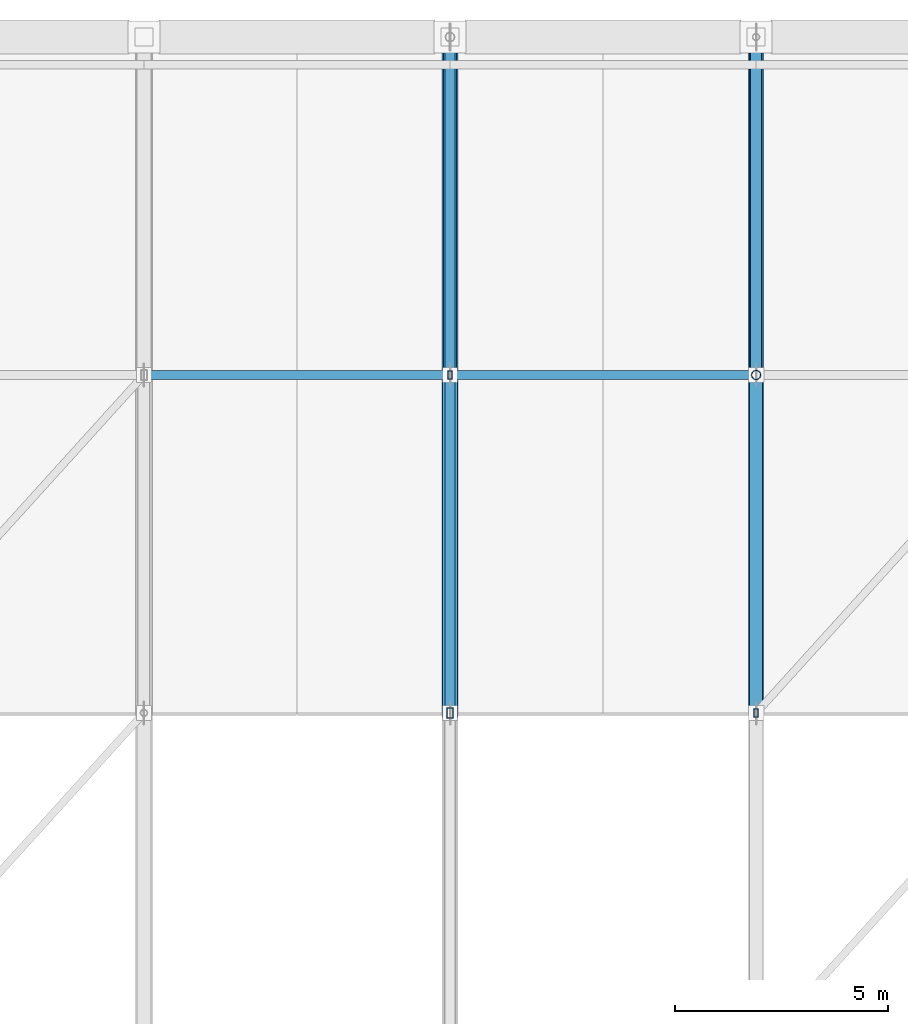
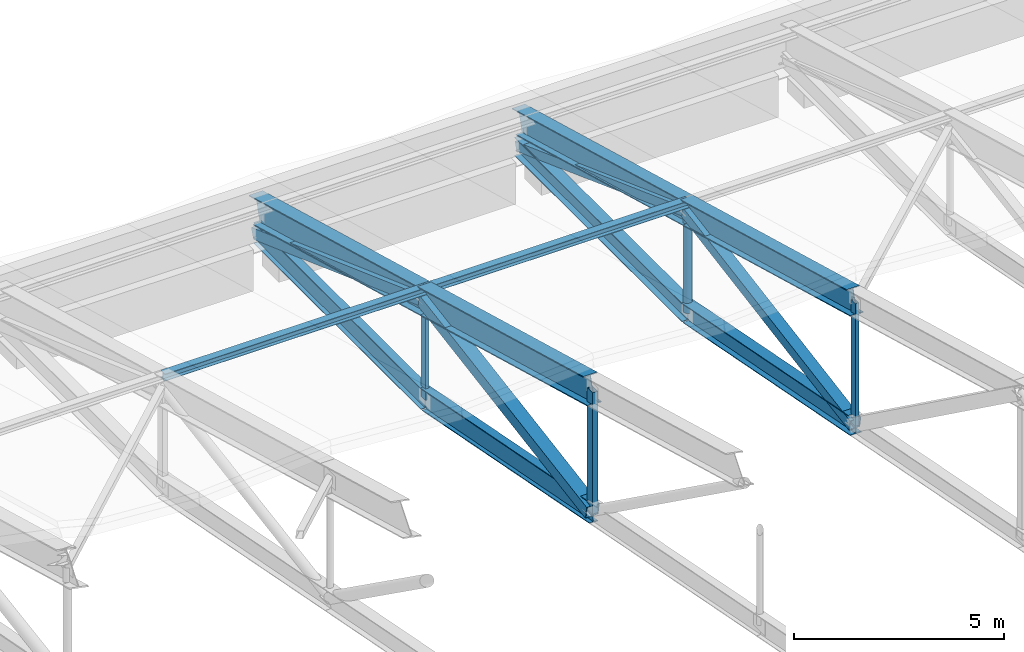
# One storey, part 18 of 53: 10 members, 8 beams.
"""IFC4 building model written with IfcOpenShell, lengths in metres."""

from ifc_helpers import new_model, si_unit, direction, frame, origin, origin_2d, place, context, subcontext, project, spatial, hollow_rectangle, hollow_circle, i_section, extrude, material, material_profile, profile_set, type_object, element, save


model = new_model("IFC4")

# Units and contexts
model_context = context("Model", 3, precision=1e-05, world=origin(), true_north=direction((0.0, 1.0)))
body_context = subcontext(model_context, "Body", "Model", "MODEL_VIEW")
ifc_project = project(units=[si_unit("LENGTHUNIT", "METRE"), si_unit("AREAUNIT", "SQUARE_METRE"), si_unit("VOLUMEUNIT", "CUBIC_METRE"), si_unit("PLANEANGLEUNIT", "RADIAN"), si_unit("MASSUNIT", "GRAM", prefix="KILO")], contexts=[model_context])

# Site, building, storey
site_placement = place(None, origin())
site = spatial("IfcSite", under=ifc_project, at=site_placement, CompositionType="ELEMENT")
building_placement = place(site_placement, origin())
building = spatial("IfcBuilding", under=site, at=building_placement, Name="Pellamere Symphony Hall", CompositionType="ELEMENT")
storey_placement = place(building_placement, frame((0.0, 0.0, 24.0)))
storey = spatial("IfcBuildingStorey", under=building, at=storey_placement, Name="L05", CompositionType="ELEMENT", Elevation=24.0)

# Beams
ifc_material = material(Name="Steel CSA G40.21 350W", Category="steel")
ifc_material_profile_1 = material_profile(ifc_material, i_section(OverallWidth=0.381103515625, OverallDepth=0.77294921875, WebThickness=0.0166015625, FlangeThickness=0.027587890625, at=origin_2d()), Name="W760X257")
ifc_profile_set_1 = profile_set([ifc_material_profile_1], Name="Steel CSA G40.21 350W")
beam_type_1 = type_object("IfcBeamType", Name="Steel Beam SB-05 W760X257", PredefinedType="BEAM", material=ifc_profile_set_1)
beam_1_placement = place(storey_placement, frame((73.199951171875, 77.699951171875, 5.228515625), z_axis=(0.0, 0.964090435702, -0.265574154969), x_axis=(-1.0, 0.0, 0.0)))
element("IfcBeam", 1, at=beam_1_placement, inside=storey, type_object=beam_type_1, Name="Roof Truss TR-03 Top Chord 7", PredefinedType="BEAM", context=body_context, shape_type="SweptSolid", body=[
    extrude(i_section(OverallWidth=0.381103515625, OverallDepth=0.77294921875, WebThickness=0.0166015625, FlangeThickness=0.027587890625, at=origin_2d()), origin(), (0.0, 0.0, 1.0), 8.24609375),
])
beam_2_placement = place(storey_placement, frame((73.199951171875, 85.64990234375, 3.03857421875), z_axis=(0.0, 0.964084943378, -0.265594092465), x_axis=(-1.0, 0.0, 0.0)))
element("IfcBeam", 2, at=beam_2_placement, inside=storey, type_object=beam_type_1, Name="Roof Truss TR-03 Top Chord 8", PredefinedType="BEAM", context=body_context, shape_type="SweptSolid", body=[
    extrude(i_section(OverallWidth=0.381103515625, OverallDepth=0.77294921875, WebThickness=0.0166015625, FlangeThickness=0.027587890625, at=origin_2d()), origin(), (0.0, 0.0, 1.0), 8.246337890625),
])
ifc_material_profile_2 = material_profile(ifc_material, i_section(OverallWidth=0.35498046875, OverallDepth=0.695068359375, WebThickness=0.015380859375, FlangeThickness=0.02490234375, at=origin_2d()), Name="W690X217")
ifc_profile_set_2 = profile_set([ifc_material_profile_2], Name="Steel CSA G40.21 350W")
beam_type_2 = type_object("IfcBeamType", Name="Steel Beam SB-07 W690X217", PredefinedType="BEAM", material=ifc_profile_set_2)
beam_3_placement = place(storey_placement, frame((80.39990234375, 77.699951171875, 5.267578125), z_axis=(0.0, 0.964082854885, -0.265601673408), x_axis=(-1.0, 0.0, 0.0)))
element("IfcBeam", 3, at=beam_3_placement, inside=storey, type_object=beam_type_2, Name="Roof Truss TR-04 Top Chord 7", PredefinedType="BEAM", context=body_context, shape_type="SweptSolid", body=[
    extrude(i_section(OverallWidth=0.35498046875, OverallDepth=0.695068359375, WebThickness=0.015380859375, FlangeThickness=0.02490234375, at=origin_2d()), origin(), (0.0, 0.0, 1.0), 8.24609375),
])
beam_4_placement = place(storey_placement, frame((80.39990234375, 85.64990234375, 3.077392578125), z_axis=(0.0, 0.964092523779, -0.265566574693), x_axis=(-1.0, 0.0, 0.0)))
element("IfcBeam", 4, at=beam_4_placement, inside=storey, type_object=beam_type_2, Name="Roof Truss TR-04 Top Chord 8", PredefinedType="BEAM", context=body_context, shape_type="SweptSolid", body=[
    extrude(i_section(OverallWidth=0.35498046875, OverallDepth=0.695068359375, WebThickness=0.015380859375, FlangeThickness=0.02490234375, at=origin_2d()), origin(), (0.0, 0.0, 1.0), 8.246337890625),
])
ifc_material_profile_3 = material_profile(ifc_material, i_section(OverallWidth=0.22998046875, OverallDepth=0.616943359375, WebThickness=0.01318359375, FlangeThickness=0.022216796875, at=origin_2d()), Name="W610X140")
ifc_profile_set_3 = profile_set([ifc_material_profile_3], Name="Steel CSA G40.21 350W")
beam_type_3 = type_object("IfcBeamType", Name="Steel Beam SB-11 W610X140", PredefinedType="BEAM", material=ifc_profile_set_3)
beam_5_placement = place(storey_placement, frame((73.199951171875, 77.699951171875, 1.706787109375), z_axis=(0.0, 0.981591064498, -0.19099471746), x_axis=(-1.0, 0.0, 0.0)))
element("IfcBeam", 5, at=beam_5_placement, inside=storey, type_object=beam_type_3, Name="Roof Truss TR-03 Bottom Chord 7", PredefinedType="BEAM", context=body_context, shape_type="SweptSolid", body=[
    extrude(i_section(OverallWidth=0.22998046875, OverallDepth=0.616943359375, WebThickness=0.01318359375, FlangeThickness=0.022216796875, at=origin_2d()), origin(), (0.0, 0.0, 1.0), 8.09912109375),
])
beam_6_placement = place(storey_placement, frame((73.199951171875, 85.64990234375, 0.159912109375), z_axis=(0.0, 1.0, 0.0), x_axis=(-1.0, 0.0, 0.0)))
element("IfcBeam", 6, at=beam_6_placement, inside=storey, type_object=beam_type_3, Name="Roof Truss TR-03 Bottom Chord 8", PredefinedType="BEAM", context=body_context, shape_type="SweptSolid", body=[
    extrude(i_section(OverallWidth=0.22998046875, OverallDepth=0.616943359375, WebThickness=0.01318359375, FlangeThickness=0.022216796875, at=origin_2d()), origin(), (0.0, 0.0, 1.0), 7.9501953125),
])
ifc_material_profile_4 = material_profile(ifc_material, i_section(OverallWidth=0.31201171875, OverallDepth=0.54296875, WebThickness=0.0126953125, FlangeThickness=0.020263671875, at=origin_2d()), Name="W530X150")
ifc_profile_set_4 = profile_set([ifc_material_profile_4], Name="Steel CSA G40.21 350W")
beam_type_4 = type_object("IfcBeamType", Name="Steel Beam SB-13 W530X150", PredefinedType="BEAM", material=ifc_profile_set_4)
beam_7_placement = place(storey_placement, frame((80.39990234375, 77.699951171875, 1.706787109375), z_axis=(0.0, 0.981591064498, -0.19099471746), x_axis=(-1.0, 0.0, 0.0)))
element("IfcBeam", 7, at=beam_7_placement, inside=storey, type_object=beam_type_4, Name="Roof Truss TR-04 Bottom Chord 7", PredefinedType="BEAM", context=body_context, shape_type="SweptSolid", body=[
    extrude(i_section(OverallWidth=0.31201171875, OverallDepth=0.54296875, WebThickness=0.0126953125, FlangeThickness=0.020263671875, at=origin_2d()), origin(), (0.0, 0.0, 1.0), 8.09912109375),
])
beam_8_placement = place(storey_placement, frame((80.39990234375, 85.64990234375, 0.159912109375), z_axis=(0.0, 1.0, 0.0), x_axis=(-1.0, 0.0, 0.0)))
element("IfcBeam", 8, at=beam_8_placement, inside=storey, type_object=beam_type_4, Name="Roof Truss TR-04 Bottom Chord 8", PredefinedType="BEAM", context=body_context, shape_type="SweptSolid", body=[
    extrude(i_section(OverallWidth=0.31201171875, OverallDepth=0.54296875, WebThickness=0.0126953125, FlangeThickness=0.020263671875, at=origin_2d()), origin(), (0.0, 0.0, 1.0), 7.9501953125),
])

# Members
ifc_material_profile_5 = material_profile(ifc_material, hollow_rectangle(XDim=0.355712890625, YDim=0.355712890625, WallThickness=0.015869140625, at=origin_2d()), Name="HSS356X356X16")
ifc_profile_set_5 = profile_set([ifc_material_profile_5], Name="Steel CSA G40.21 350W")
member_type_1 = type_object("IfcMemberType", Name="Steel Member SM-01 HSS356X356X16", PredefinedType="CHORD", material=ifc_profile_set_5)
member_1_placement = place(storey_placement, frame((73.199951171875, 77.699951171875, 1.706787109375), z_axis=(0.0, 0.986256879074, 0.165219152884), x_axis=(-1.0, 0.0, 0.0)))
element("IfcMember", 9, at=member_1_placement, inside=storey, type_object=member_type_1, Name="Roof Truss TR-03 Web Diagonal 7", PredefinedType="CHORD", context=body_context, shape_type="SweptSolid", body=[
    extrude(hollow_rectangle(XDim=0.355712890625, YDim=0.355712890625, WallThickness=0.015869140625, at=origin_2d()), origin(), (0.0, 0.0, 1.0), 8.060791015625),
])
ifc_material_profile_6 = material_profile(ifc_material, hollow_rectangle(XDim=0.3046875, YDim=0.3046875, WallThickness=0.0126953125, at=origin_2d()), Name="HSS305X305X13")
ifc_profile_set_6 = profile_set([ifc_material_profile_6], Name="Steel CSA G40.21 350W")
member_type_2 = type_object("IfcMemberType", Name="Steel Member SM-02 HSS305X305X13", PredefinedType="CHORD", material=ifc_profile_set_6)
member_2_placement = place(storey_placement, frame((73.199951171875, 85.64990234375, 3.03857421875), z_axis=(0.0, 0.94026043165, -0.340456048077), x_axis=(-1.0, 0.0, 0.0)))
element("IfcMember", 10, at=member_2_placement, inside=storey, type_object=member_type_2, Name="Roof Truss TR-03 Web Diagonal 8", PredefinedType="CHORD", context=body_context, shape_type="SweptSolid", body=[
    extrude(hollow_rectangle(XDim=0.3046875, YDim=0.3046875, WallThickness=0.0126953125, at=origin_2d()), origin(), (0.0, 0.0, 1.0), 8.455322265625),
])
member_3_placement = place(storey_placement, frame((80.39990234375, 77.699951171875, 1.706787109375), z_axis=(0.0, 0.985461688272, 0.169897795595), x_axis=(-1.0, 0.0, 0.0)))
element("IfcMember", 11, at=member_3_placement, inside=storey, type_object=member_type_2, Name="Roof Truss TR-04 Web Diagonal 7", PredefinedType="CHORD", context=body_context, shape_type="SweptSolid", body=[
    extrude(hollow_rectangle(XDim=0.3046875, YDim=0.3046875, WallThickness=0.0126953125, at=origin_2d()), origin(), (0.0, 0.0, 1.0), 8.067138671875),
])
ifc_material_profile_7 = material_profile(ifc_material, hollow_rectangle(XDim=0.25390625, YDim=0.25390625, WallThickness=0.0126953125, at=origin_2d()), Name="HSS254X254X13")
ifc_profile_set_7 = profile_set([ifc_material_profile_7], Name="Steel CSA G40.21 350W")
member_type_3 = type_object("IfcMemberType", Name="Steel Member SM-03 HSS254X254X13", PredefinedType="BRACE", material=ifc_profile_set_7)
member_4_placement = place(storey_placement, frame((80.39990234375, 85.64990234375, 3.077392578125), z_axis=(0.0, 0.938784346164, -0.344505372088), x_axis=(-1.0, 0.0, 0.0)))
element("IfcMember", 12, at=member_4_placement, inside=storey, type_object=member_type_3, Name="Roof Truss TR-04 Web Diagonal 8", PredefinedType="BRACE", context=body_context, shape_type="SweptSolid", body=[
    extrude(hollow_rectangle(XDim=0.25390625, YDim=0.25390625, WallThickness=0.0126953125, at=origin_2d()), origin(), (0.0, 0.0, 1.0), 8.468505859375),
])
ifc_material_profile_8 = material_profile(ifc_material, hollow_rectangle(XDim=0.15234375, YDim=0.25390625, WallThickness=0.010986328125, at=origin_2d()), Name="HSS254X152X11")
ifc_profile_set_8 = profile_set([ifc_material_profile_8], Name="Steel CSA G40.21 350W")
member_type_4 = type_object("IfcMemberType", Name="Steel Member SM-07 HSS254X152X11", PredefinedType="STRUT", material=ifc_profile_set_8)
member_5_placement = place(storey_placement, frame((73.199951171875, 77.699951171875, 1.706787109375), z_axis=(0.0, 0.0, 1.0), x_axis=(1.0, 0.0, 0.0)))
element("IfcMember", 13, at=member_5_placement, inside=storey, type_object=member_type_4, Name="Roof Truss TR-03 Vertical Post 6", PredefinedType="STRUT", context=body_context, shape_type="SweptSolid", body=[
    extrude(hollow_rectangle(XDim=0.15234375, YDim=0.25390625, WallThickness=0.010986328125, at=origin_2d()), origin(), (0.0, 0.0, 1.0), 3.521728515625),
])
ifc_material_profile_9 = material_profile(ifc_material, hollow_rectangle(XDim=0.1015625, YDim=0.203125, WallThickness=0.009521484375, at=origin_2d()), Name="HSS203X102X10")
ifc_profile_set_9 = profile_set([ifc_material_profile_9], Name="Steel CSA G40.21 350W")
member_type_5 = type_object("IfcMemberType", Name="Steel Member SM-08 HSS203X102X10", PredefinedType="STRUT", material=ifc_profile_set_9)
member_6_placement = place(storey_placement, frame((73.199951171875, 85.64990234375, 0.159912109375), z_axis=(0.0, 0.0, 1.0), x_axis=(1.0, 0.0, 0.0)))
element("IfcMember", 14, at=member_6_placement, inside=storey, type_object=member_type_5, Name="Roof Truss TR-03 Vertical Post 7", PredefinedType="STRUT", context=body_context, shape_type="SweptSolid", body=[
    extrude(hollow_rectangle(XDim=0.1015625, YDim=0.203125, WallThickness=0.009521484375, at=origin_2d()), origin(), (0.0, 0.0, 1.0), 2.878662109375),
])
member_7_placement = place(storey_placement, frame((80.39990234375, 77.699951171875, 1.706787109375), z_axis=(0.0, 0.0, 1.0), x_axis=(1.0, 0.0, 0.0)))
element("IfcMember", 15, at=member_7_placement, inside=storey, type_object=member_type_5, Name="Roof Truss TR-04 Vertical Post 6", PredefinedType="STRUT", context=body_context, shape_type="SweptSolid", body=[
    extrude(hollow_rectangle(XDim=0.1015625, YDim=0.203125, WallThickness=0.009521484375, at=origin_2d()), origin(), (0.0, 0.0, 1.0), 3.560791015625),
])
ifc_material_profile_10 = material_profile(ifc_material, hollow_circle(Radius=0.109619140625, WallThickness=0.009521484375, at=origin_2d()), Name="HSS219X10")
ifc_profile_set_10 = profile_set([ifc_material_profile_10], Name="Steel CSA G40.21 350W")
member_type_6 = type_object("IfcMemberType", Name="Steel Member SM-13 HSS219X10", PredefinedType="STRUT", material=ifc_profile_set_10)
member_8_placement = place(storey_placement, frame((80.39990234375, 85.64990234375, 0.159912109375), z_axis=(0.0, 0.0, 1.0), x_axis=(1.0, 0.0, 0.0)))
element("IfcMember", 16, at=member_8_placement, inside=storey, type_object=member_type_6, Name="Roof Truss TR-04 Vertical Post 7", PredefinedType="STRUT", context=body_context, shape_type="SweptSolid", body=[
    extrude(hollow_circle(Radius=0.109619140625, WallThickness=0.009521484375, at=origin_2d()), origin(), (0.0, 0.0, 1.0), 2.91748046875),
])
ifc_material_profile_11 = material_profile(ifc_material, i_section(OverallWidth=0.2041015625, OverallDepth=0.2060546875, WebThickness=0.0078125, FlangeThickness=0.0126953125, at=origin_2d()), Name="W200X52")
ifc_profile_set_11 = profile_set([ifc_material_profile_11], Name="Steel CSA G40.21 350W")
member_type_7 = type_object("IfcMemberType", Name="Steel Member SM-15 W200X52", PredefinedType="PURLIN", material=ifc_profile_set_11)
for number, where, z_axis, x_axis, name in (
    (17, (66.0, 85.64990234375, 3.322021484375), (1.0, 0.0, 0.0), (0.0, 1.0, 0.0), "Folded Roof Purlin 2.7"),
    (18, (73.199951171875, 85.64990234375, 3.322021484375), (1.0, 0.0, 0.0), (0.0, 1.0, 0.0), "Folded Roof Purlin 3.7"),
):
    element("IfcMember", number, at=place(storey_placement, frame(where, z_axis=z_axis, x_axis=x_axis)), inside=storey, type_object=member_type_7, Name=name, PredefinedType="PURLIN", context=body_context, shape_type="SweptSolid", body=[
        extrude(i_section(OverallWidth=0.2041015625, OverallDepth=0.2060546875, WebThickness=0.0078125, FlangeThickness=0.0126953125, at=origin_2d()), origin(), (0.0, 0.0, 1.0), 7.199951171875),
    ])

save(model, "model.ifc")
